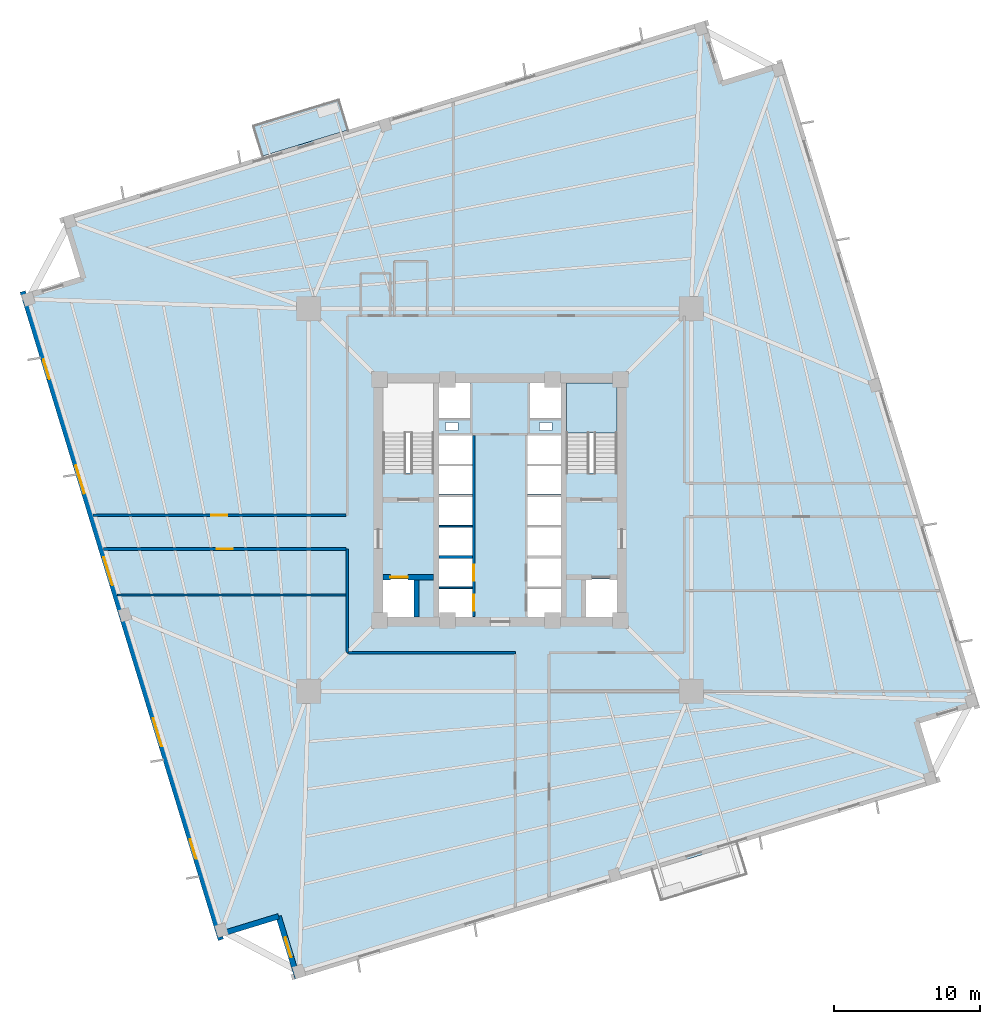
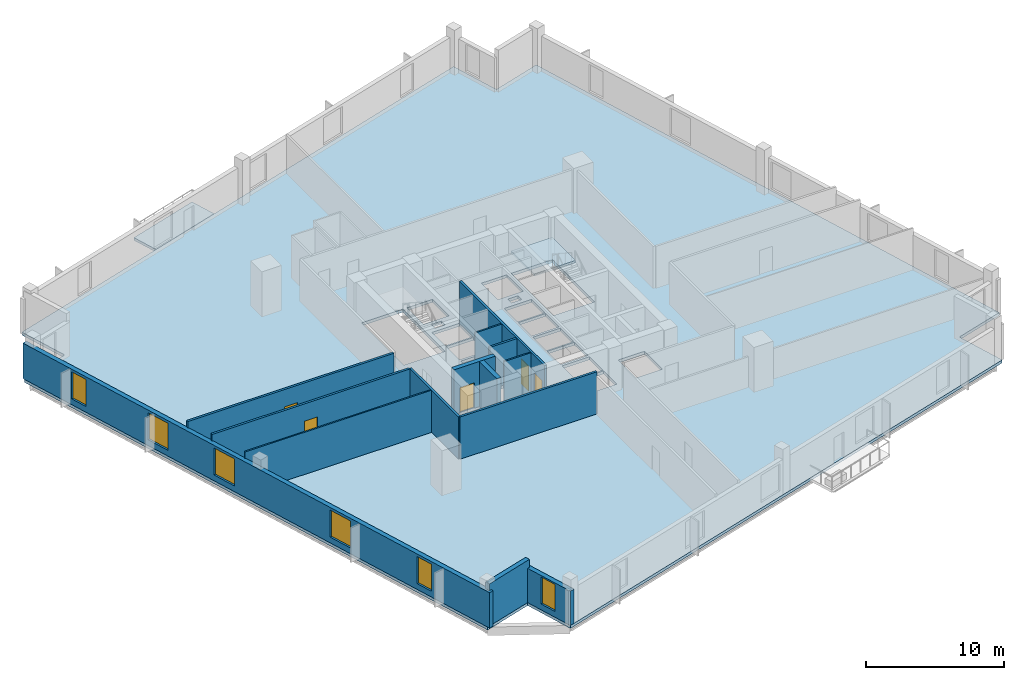
# One storey, part 2 of 8: 14 walls, 6 windows, 5 doors, 3 slabs, 11 openings, 1 element without a shape of its own.
"""IFC4 building model written with IfcOpenShell, lengths in metres."""

from ifc_helpers import new_model, si_unit, direction, frame, frame_2d, origin, place, context, subcontext, project, spatial, polyline, rectangle, outline, extrude, source, transform, mapped, material, layer, layer_set, type_object, element, fill, aggregate, save


model = new_model("IFC4")

# Units and contexts
model_context = context("Model", 3, precision=1e-05, world=origin(), true_north=direction((0.0, 1.0)))
body_context = subcontext(model_context, "Body", "Model", "MODEL_VIEW")
ifc_project = project(units=[si_unit("LENGTHUNIT", "METRE"), si_unit("AREAUNIT", "SQUARE_METRE"), si_unit("VOLUMEUNIT", "CUBIC_METRE"), si_unit("PLANEANGLEUNIT", "RADIAN"), si_unit("MASSUNIT", "GRAM", prefix="KILO"), si_unit("THERMODYNAMICTEMPERATUREUNIT", "KELVIN")], contexts=[model_context])

# Site, building, storey
site_placement = place(None, origin())
site = spatial("IfcSite", under=ifc_project, at=site_placement, CompositionType="ELEMENT")
building_placement = place(site_placement, origin())
building = spatial("IfcBuilding", under=site, at=building_placement, Name="Kosmvard Interchange Tower", CompositionType="ELEMENT")
storey_placement = place(building_placement, frame((0.0, 0.0, 99.199951171875)))
storey = spatial("IfcBuildingStorey", under=building, at=storey_placement, Name="L23", CompositionType="ELEMENT", Elevation=99.199951171875)

# Slab
ifc_material_1 = material(Name="Concrete C50/60", Category="concrete")
ifc_layer_1 = layer(ifc_material_1, 0.260009765625, Name="Concrete C50/60")
ifc_layer_set_1 = layer_set([ifc_layer_1], Name="Concrete C50/60")
slab_type_1 = type_object("IfcSlabType", Name="Mid-Rise Office Composite Slab 260 C50/60", PredefinedType="FLOOR", material=ifc_layer_set_1)
slab_1_placement = place(storey_placement, frame((0.0, 0.0, -0.260009765625)))
element("IfcSlab", 1, at=slab_1_placement, inside=storey, type_object=slab_type_1, Name="L23 Structural Floor Slab", PredefinedType="FLOOR", context=body_context, shape_type="SweptSolid", body=[
    extrude(outline(polyline([(-14.02783203125, -32.783935546875), (29.962158203125, -19.334716796875), (28.719482421875, -15.2705078125), (32.783935546875, -14.02783203125), (19.334716796875, 29.962158203125), (15.2705078125, 28.719482421875), (14.02783203125, 32.783935546875), (-29.962158203125, 19.334716796875), (-28.719482421875, 15.2705078125), (-32.783935546875, 14.02783203125), (-19.334716796875, -29.962158203125), (-15.2705078125, -28.719482421875), (-14.02783203125, -32.783935546875)]), holes=[polyline([(-8.0, 1.8349609375), (-4.5400390625, 1.8349609375), (-4.5400390625, 8.0), (-8.0, 8.0), (-8.0, 1.8349609375)]), polyline([(4.5400390625, 1.8349609375), (8.0, 1.8349609375), (8.0, 8.0), (4.5400390625, 8.0), (4.5400390625, 1.8349609375)]), polyline([(-8.0, -8.0), (-5.800048828125, -8.0), (-5.800048828125, -5.39990234375), (-8.0, -5.39990234375), (-8.0, -8.0)]), polyline([(5.800048828125, -8.0), (8.0, -8.0), (8.0, -5.39990234375), (5.800048828125, -5.39990234375), (5.800048828125, -8.0)]), polyline([(-4.179931640625, -8.0), (-1.8798828125, -8.0), (-1.8798828125, -6.06005859375), (-4.179931640625, -6.06005859375), (-4.179931640625, -8.0)]), polyline([(-4.179931640625, -5.93994140625), (-1.8798828125, -5.93994140625), (-1.8798828125, -4.0), (-4.179931640625, -4.0), (-4.179931640625, -5.93994140625)]), polyline([(1.8798828125, -8.0), (4.179931640625, -8.0), (4.179931640625, -6.06005859375), (1.8798828125, -6.06005859375), (1.8798828125, -8.0)]), polyline([(1.8798828125, -5.93994140625), (4.179931640625, -5.93994140625), (4.179931640625, -4.0), (1.8798828125, -4.0), (1.8798828125, -5.93994140625)]), polyline([(-4.179931640625, -3.800048828125), (-1.8798828125, -3.800048828125), (-1.8798828125, -1.860107421875), (-4.179931640625, -1.860107421875), (-4.179931640625, -3.800048828125)]), polyline([(-4.179931640625, -1.739990234375), (-1.8798828125, -1.739990234375), (-1.8798828125, 0.199951171875), (-4.179931640625, 0.199951171875), (-4.179931640625, -1.739990234375)]), polyline([(1.8798828125, -3.800048828125), (4.179931640625, -3.800048828125), (4.179931640625, -1.860107421875), (1.8798828125, -1.860107421875), (1.8798828125, -3.800048828125)]), polyline([(1.8798828125, -1.739990234375), (4.179931640625, -1.739990234375), (4.179931640625, 0.199951171875), (1.8798828125, 0.199951171875), (1.8798828125, -1.739990234375)]), polyline([(-4.179931640625, 0.39990234375), (-1.8798828125, 0.39990234375), (-1.8798828125, 2.340087890625), (-4.179931640625, 2.340087890625), (-4.179931640625, 0.39990234375)]), polyline([(-4.179931640625, 2.4599609375), (-1.8798828125, 2.4599609375), (-1.8798828125, 4.39990234375), (-4.179931640625, 4.39990234375), (-4.179931640625, 2.4599609375)]), polyline([(1.8798828125, 0.39990234375), (4.179931640625, 0.39990234375), (4.179931640625, 2.340087890625), (1.8798828125, 2.340087890625), (1.8798828125, 0.39990234375)]), polyline([(1.8798828125, 2.4599609375), (4.179931640625, 2.4599609375), (4.179931640625, 4.39990234375), (1.8798828125, 4.39990234375), (1.8798828125, 2.4599609375)]), polyline([(-4.179931640625, 5.60009765625), (-2.0400390625, 5.60009765625), (-2.0400390625, 8.0), (-4.179931640625, 8.0), (-4.179931640625, 5.60009765625)]), polyline([(2.0400390625, 5.60009765625), (4.179931640625, 5.60009765625), (4.179931640625, 8.0), (2.0400390625, 8.0), (2.0400390625, 5.60009765625)]), polyline([(-3.715087890625, 4.739990234375), (-2.864990234375, 4.739990234375), (-2.864990234375, 5.2900390625), (-3.715087890625, 5.2900390625), (-3.715087890625, 4.739990234375)]), polyline([(2.715087890625, 4.739990234375), (3.56494140625, 4.739990234375), (3.56494140625, 5.2900390625), (2.715087890625, 5.2900390625), (2.715087890625, 4.739990234375)])]), origin(), (0.0, 0.0, 1.0), 0.260009765625),
])

# Stair, slab
stair_type = type_object("IfcStairType", Name="Dog-Leg Core Exit Stair H4000 C50/60", PredefinedType="HALF_TURN_STAIR", material=ifc_material_1)
stair_placement = place(storey_placement, origin())
stair = element("IfcStair", 2, at=stair_placement, inside=storey, type_object=stair_type, Name="L23 Protected Exit Stair ST-2", PredefinedType="HALF_TURN_STAIR")
ifc_layer_2 = layer(ifc_material_1, 0.199951171875, Name="Concrete C50/60")
ifc_layer_set_2 = layer_set([ifc_layer_2], Name="Concrete C50/60")
slab_type_2 = type_object("IfcSlabType", Name="Stair Half-Landing Slab 200 C50/60", PredefinedType="LANDING", material=ifc_layer_set_2)
slab_2_placement = place(storey_placement, frame((0.0, 0.0, 1.800048828125)))
slab_2 = element("IfcSlab", 3, at=slab_2_placement, type_object=slab_type_2, Name="ST-2 landing 1", PredefinedType="LANDING", context=body_context, shape_type="SweptSolid", body=[
    extrude(outline(polyline([(8.0, 4.60009765625), (8.0, 8.0), (4.5400390625, 8.0), (4.5400390625, 4.60009765625), (8.0, 4.60009765625)])), origin(), (0.0, 0.0, 1.0), 0.199951171875),
])
aggregate(stair, [slab_2])

# Slab
ifc_layer_3 = layer(ifc_material_1, 0.22998046875, Name="Concrete C50/60")
ifc_layer_set_3 = layer_set([ifc_layer_3], Name="Concrete C50/60")
slab_type_3 = type_object("IfcSlabType", Name="Tree-Planter Cantilever Balcony Slab 230 C50/60", PredefinedType="FLOOR", material=ifc_layer_set_3)
slab_3_placement = place(storey_placement, frame((0.0, 0.0, -0.22998046875)))
element("IfcSlab", 4, at=slab_3_placement, inside=storey, type_object=slab_type_3, Name="L23 Outdoor Terrace Balcony Slab BAL-L23-NE", PredefinedType="FLOOR", context=body_context, shape_type="SweptSolid", body=[
    extrude(outline(polyline([(-16.286865234375, 23.515625), (-10.35791015625, 25.328369140625), (-11.001220703125, 27.43212890625), (-16.93017578125, 25.61962890625), (-16.286865234375, 23.515625)])), origin(), (0.0, 0.0, 1.0), 0.22998046875),
])

# Wall, openings, doors
ifc_material_2 = material(Name="Fire-rated gypsum partition system")
ifc_layer_4 = layer(ifc_material_2, 0.179931640625, Name="Fire-rated gypsum partition system")
ifc_layer_set_4 = layer_set([ifc_layer_4], Name="Fire-rated gypsum partition system")
wall_type_1 = type_object("IfcWallType", Name="Corridor & Hotel Compartment Partition 180", PredefinedType="PARTITIONING", material=ifc_layer_set_4)
wall_1_placement = place(storey_placement, frame((-1.7900390625, -7.97998046875, 0.0), z_axis=(0.0, 0.0, 1.0), x_axis=(0.0, 1.0, 0.0)))
wall_1 = element("IfcWall", 5, at=wall_1_placement, inside=storey, type_object=wall_type_1, Name="L23 West Lift Bank Front Wall", PredefinedType="PARTITIONING", context=body_context, shape_type="SweptSolid", body=[
    extrude(rectangle(XDim=12.3798828125, YDim=0.179931640625, at=frame_2d((6.18994140625, 0.0))), origin(), (0.0, 0.0, 1.0), 3.739990234375),
])
opening_1_placement = place(wall_1_placement, frame((0.39990234375, 0.0, 0.0)))
opening_1 = element("IfcOpeningElement", 6, at=opening_1_placement, cuts=wall_1, Name="Opening LD-PL-L1-L23", PredefinedType="OPENING", context=body_context, shape_type="SweptSolid", body=[
    extrude(rectangle(XDim=1.10009765625, YDim=2.199951171875, at=frame_2d((0.550048828125, 1.10009765625))), frame((0.0, 0.10009765625, 0.0), z_axis=(0.0, -1.0, 0.0), x_axis=(1.0, 0.0, 0.0)), (0.0, 0.0, 1.0), 0.199951171875),
])
opening_2_placement = place(wall_1_placement, frame((2.4599609375, 0.0, 0.0)))
opening_2 = element("IfcOpeningElement", 7, at=opening_2_placement, cuts=wall_1, Name="Opening LD-PL-L2-L23", PredefinedType="OPENING", context=body_context, shape_type="SweptSolid", body=[
    extrude(rectangle(XDim=1.10009765625, YDim=2.199951171875, at=frame_2d((0.550048828125, 1.10009765625))), frame((0.0, 0.10009765625, 0.0), z_axis=(0.0, -1.0, 0.0), x_axis=(1.0, 0.0, 0.0)), (0.0, 0.0, 1.0), 0.199951171875),
])
ifc_material_3 = material(Name="Brushed stainless steel sliding leaf", Category="steel")
door_type_1 = type_object("IfcDoorType", Name="Passenger Lift Sliding Landing Door 1100x2200 EI60", OperationType="DOUBLE_DOOR_SLIDING", PredefinedType="DOOR", material=ifc_material_3)
shared_shape_1 = source(origin(), body_context, "Body", "SweptSolid", [
    extrude(rectangle(XDim=1.10009765625, YDim=2.199951171875, at=frame_2d((0.550048828125, 1.10009765625))), frame((0.0, 0.02490234375, 0.0), z_axis=(0.0, -1.0, 0.0), x_axis=(1.0, 0.0, 0.0)), (0.0, 0.0, 1.0), 0.050048828125),
])
door_1_placement = place(opening_1_placement, frame((1.10009765625, 0.0, 0.0), z_axis=(0.0, 0.0, 1.0), x_axis=(-1.0, 0.0, 0.0)))
door_1 = element("IfcDoor", 8, at=door_1_placement, inside=storey, type_object=door_type_1, Name="Lift PL-L1 Landing Door L23", OperationType="DOUBLE_DOOR_SLIDING", OverallHeight=2.199951171875, OverallWidth=1.10009765625, PredefinedType="DOOR", context=body_context, shape_type="MappedRepresentation", body=[
    mapped(shared_shape_1, transform((0.0, 0.0, 0.0), scale=1.0)),
])
fill(opening_1, door_1)
door_2_placement = place(opening_2_placement, frame((1.10009765625, 0.0, 0.0), z_axis=(0.0, 0.0, 1.0), x_axis=(-1.0, 0.0, 0.0)))
door_2 = element("IfcDoor", 9, at=door_2_placement, inside=storey, type_object=door_type_1, Name="Lift PL-L2 Landing Door L23", OperationType="DOUBLE_DOOR_SLIDING", OverallHeight=2.199951171875, OverallWidth=1.10009765625, PredefinedType="DOOR", context=body_context, shape_type="MappedRepresentation", body=[
    mapped(shared_shape_1, transform((0.0, 0.0, 0.0), scale=1.0)),
])
fill(opening_2, door_2)

# Walls
wall_2_placement = place(storey_placement, frame((-10.449951171875, -10.449951171875, 0.0), z_axis=(0.0, 0.0, 1.0), x_axis=(1.0, 0.0, 0.0)))
element("IfcWall", 10, at=wall_2_placement, inside=storey, type_object=wall_type_1, Name="L23 Corridor Wall CSW", PredefinedType="PARTITIONING", context=body_context, shape_type="SweptSolid", body=[
    extrude(rectangle(XDim=11.5, YDim=0.179931640625, at=frame_2d((5.75, 0.0))), origin(), (0.0, 0.0, 1.0), 3.739990234375),
])
wall_3_placement = place(storey_placement, frame((-10.449951171875, -10.449951171875, 0.0), z_axis=(0.0, 0.0, 1.0), x_axis=(0.0, 1.0, 0.0)))
element("IfcWall", 11, at=wall_3_placement, inside=storey, type_object=wall_type_1, Name="L23 Corridor Wall CWS", PredefinedType="PARTITIONING", context=body_context, shape_type="SweptSolid", body=[
    extrude(rectangle(XDim=7.099853515625, YDim=0.179931640625, at=frame_2d((3.5498046875, 0.0))), origin(), (0.0, 0.0, 1.0), 3.739990234375),
])

# Wall, opening, door
wall_4_placement = place(storey_placement, frame((-27.1416015625, -3.35009765625, 0.0), z_axis=(0.0, 0.0, 1.0), x_axis=(1.0, 0.0, 0.0)))
wall_4 = element("IfcWall", 12, at=wall_4_placement, inside=storey, type_object=wall_type_1, Name="L23 Corridor Wall SWS", PredefinedType="PARTITIONING", context=body_context, shape_type="SweptSolid", body=[
    extrude(rectangle(XDim=16.591552734375, YDim=0.179931640625, at=frame_2d((8.2958984375, 0.0))), origin(), (0.0, 0.0, 1.0), 3.739990234375),
])
opening_3_placement = place(wall_4_placement, frame((7.745849609375, 0.0, 0.0)))
opening_3 = element("IfcOpeningElement", 13, at=opening_3_placement, cuts=wall_4, Name="Opening L23-D08", PredefinedType="OPENING", context=body_context, shape_type="SweptSolid", body=[
    extrude(rectangle(XDim=1.10009765625, YDim=2.199951171875, at=frame_2d((0.550048828125, 1.10009765625))), frame((0.0, 0.10009765625, 0.0), z_axis=(0.0, -1.0, 0.0), x_axis=(1.0, 0.0, 0.0)), (0.0, 0.0, 1.0), 0.199951171875),
])
ifc_material_4 = material(Name="Engineered oak fire-rated timber", Category="wood")
door_type_2 = type_object("IfcDoorType", Name="Office Suite Entrance Door 1100x2200 FD30S", OperationType="NOTDEFINED", PredefinedType="DOOR", material=ifc_material_4)
door_3_placement = place(opening_3_placement, frame((1.10009765625, 0.0, 0.0), z_axis=(0.0, 0.0, 1.0), x_axis=(-1.0, 0.0, 0.0)))
door_3 = element("IfcDoor", 14, at=door_3_placement, inside=storey, type_object=door_type_2, Name="L23 West Boardroom 4 Door", OperationType="SINGLE_SWING_RIGHT", OverallHeight=2.199951171875, OverallWidth=1.10009765625, PredefinedType="DOOR", context=body_context, shape_type="MappedRepresentation", body=[
    mapped(shared_shape_1, transform((0.0, 0.0, 0.0), scale=1.0)),
])
fill(opening_3, door_3)

wall_5_placement = place(storey_placement, frame((-27.8447265625, -1.050048828125, 0.0), z_axis=(0.0, 0.0, 1.0), x_axis=(1.0, 0.0, 0.0)))
wall_5 = element("IfcWall", 15, at=wall_5_placement, inside=storey, type_object=wall_type_1, Name="L23 Corridor Wall SWN", PredefinedType="PARTITIONING", context=body_context, shape_type="SweptSolid", body=[
    extrude(rectangle(XDim=17.294677734375, YDim=0.179931640625, at=frame_2d((8.6474609375, 0.0))), origin(), (0.0, 0.0, 1.0), 3.739990234375),
])
opening_4_placement = place(wall_5_placement, frame((8.097412109375, 0.0, 0.0)))
opening_4 = element("IfcOpeningElement", 16, at=opening_4_placement, cuts=wall_5, Name="Opening L23-D03", PredefinedType="OPENING", context=body_context, shape_type="SweptSolid", body=[
    extrude(rectangle(XDim=1.10009765625, YDim=2.199951171875, at=frame_2d((0.550048828125, 1.10009765625))), frame((0.0, 0.10009765625, 0.0), z_axis=(0.0, -1.0, 0.0), x_axis=(1.0, 0.0, 0.0)), (0.0, 0.0, 1.0), 0.199951171875),
])
door_4_placement = place(opening_4_placement, origin())
door_4 = element("IfcDoor", 17, at=door_4_placement, inside=storey, type_object=door_type_2, Name="L23 North-West Strategy Conference Room 1 Door", OperationType="SINGLE_SWING_LEFT", OverallHeight=2.199951171875, OverallWidth=1.10009765625, PredefinedType="DOOR", context=body_context, shape_type="MappedRepresentation", body=[
    mapped(shared_shape_1, transform((0.0, 0.0, 0.0), scale=1.0)),
])
fill(opening_4, door_4)

# Wall, openings, windows
ifc_material_5 = material(Name="Precast concrete C45/55", Category="concrete")
ifc_layer_5 = layer(ifc_material_5, 0.3798828125, Name="Precast concrete C45/55")
ifc_layer_set_5 = layer_set([ifc_layer_5], Name="Precast concrete C45/55")
wall_type_2 = type_object("IfcWallType", Name="Lower Tower Precast Pier Wall 380 C45/55", PredefinedType="STANDARD", material=ifc_layer_set_5)
wall_6_placement = place(storey_placement, frame((-32.65771484375, 14.26513671875, 0.0), z_axis=(0.0, 0.0, 1.0), x_axis=(0.292373127906, -0.956304320851, 0.0)))
wall_6 = element("IfcWall", 18, at=wall_6_placement, inside=storey, type_object=wall_type_2, Name="L23 Precast Facade Wall F-W", PredefinedType="STANDARD", context=body_context, shape_type="SweptSolid", body=[
    extrude(rectangle(XDim=46.380126953125, YDim=0.3798828125, at=frame_2d((23.18994140625, 0.0))), origin(), (0.0, 0.0, 1.0), 3.14013671875),
])
opening_5_placement = place(wall_6_placement, frame((4.865478515625, 0.0, 0.510009765625)))
opening_5 = element("IfcOpeningElement", 19, at=opening_5_placement, cuts=wall_6, Name="Opening L23-W16", PredefinedType="OPENING", context=body_context, shape_type="SweptSolid", body=[
    extrude(rectangle(XDim=1.39990234375, YDim=2.39990234375, at=frame_2d((0.699951171875, 1.199951171875))), frame((0.0, 0.199951171875, 0.0), z_axis=(0.0, -1.0, 0.0), x_axis=(1.0, 0.0, 0.0)), (0.0, 0.0, 1.0), 0.39990234375),
])
opening_6_placement = place(wall_6_placement, frame((12.4501953125, 0.0, 0.510009765625)))
opening_6 = element("IfcOpeningElement", 20, at=opening_6_placement, cuts=wall_6, Name="Opening L23-W17", PredefinedType="OPENING", context=body_context, shape_type="SweptSolid", body=[
    extrude(rectangle(XDim=2.0, YDim=2.39990234375, at=frame_2d((1.0, 1.199951171875))), frame((0.0, 0.199951171875, 0.0), z_axis=(0.0, -1.0, 0.0), x_axis=(1.0, 0.0, 0.0)), (0.0, 0.0, 1.0), 0.39990234375),
])
opening_7_placement = place(wall_6_placement, frame((19.012451171875, 0.0, 0.510009765625)))
opening_7 = element("IfcOpeningElement", 21, at=opening_7_placement, cuts=wall_6, Name="Opening L23-W18", PredefinedType="OPENING", context=body_context, shape_type="SweptSolid", body=[
    extrude(rectangle(XDim=2.0, YDim=2.39990234375, at=frame_2d((1.0, 1.199951171875))), frame((0.0, 0.199951171875, 0.0), z_axis=(0.0, -1.0, 0.0), x_axis=(1.0, 0.0, 0.0)), (0.0, 0.0, 1.0), 0.39990234375),
])
opening_8_placement = place(wall_6_placement, frame((30.538330078125, 0.0, 0.510009765625)))
opening_8 = element("IfcOpeningElement", 22, at=opening_8_placement, cuts=wall_6, Name="Opening L23-W19", PredefinedType="OPENING", context=body_context, shape_type="SweptSolid", body=[
    extrude(rectangle(XDim=2.0, YDim=2.39990234375, at=frame_2d((1.0, 1.199951171875))), frame((0.0, 0.199951171875, 0.0), z_axis=(0.0, -1.0, 0.0), x_axis=(1.0, 0.0, 0.0)), (0.0, 0.0, 1.0), 0.39990234375),
])
opening_9_placement = place(wall_6_placement, frame((39.186767578125, 0.0, 0.510009765625)))
opening_9 = element("IfcOpeningElement", 23, at=opening_9_placement, cuts=wall_6, Name="Opening L23-W20", PredefinedType="OPENING", context=body_context, shape_type="SweptSolid", body=[
    extrude(rectangle(XDim=1.39990234375, YDim=2.39990234375, at=frame_2d((0.699951171875, 1.199951171875))), frame((0.0, 0.199951171875, 0.0), z_axis=(0.0, -1.0, 0.0), x_axis=(1.0, 0.0, 0.0)), (0.0, 0.0, 1.0), 0.39990234375),
])
ifc_material_6 = material(Name="Low-E solar-control double glazing", Category="glass")
window_type_1 = type_object("IfcWindowType", Name="Notched Corner Feature Window 1400x2400", PartitioningType="SINGLE_PANEL", PredefinedType="WINDOW", material=ifc_material_6)
shared_shape_2 = source(origin(), body_context, "Body", "SweptSolid", [
    extrude(rectangle(XDim=1.39990234375, YDim=2.39990234375, at=frame_2d((0.699951171875, 1.199951171875))), frame((0.0, 0.030029296875, 0.0), z_axis=(0.0, -1.0, 0.0), x_axis=(1.0, 0.0, 0.0)), (0.0, 0.0, 1.0), 0.06005859375),
])
window_1_placement = place(opening_5_placement, origin())
window_1 = element("IfcWindow", 24, at=window_1_placement, inside=storey, type_object=window_type_1, Name="L23 Facade Punched Window 16", OverallHeight=2.39990234375, OverallWidth=1.39990234375, PartitioningType="SINGLE_PANEL", PredefinedType="WINDOW", context=body_context, shape_type="MappedRepresentation", body=[
    mapped(shared_shape_2, transform((0.0, 0.0, 0.0), scale=1.0)),
])
fill(opening_5, window_1)
window_2_placement = place(opening_9_placement, origin())
window_2 = element("IfcWindow", 25, at=window_2_placement, inside=storey, type_object=window_type_1, Name="L23 Facade Punched Window 20", OverallHeight=2.39990234375, OverallWidth=1.39990234375, PartitioningType="SINGLE_PANEL", PredefinedType="WINDOW", context=body_context, shape_type="MappedRepresentation", body=[
    mapped(shared_shape_2, transform((0.0, 0.0, 0.0), scale=1.0)),
])
fill(opening_9, window_2)
window_type_2 = type_object("IfcWindowType", Name="Zone 2 Office Punched Window 2000x2400", PartitioningType="SINGLE_PANEL", PredefinedType="WINDOW", material=ifc_material_6)
shared_shape_3 = source(origin(), body_context, "Body", "SweptSolid", [
    extrude(rectangle(XDim=2.0, YDim=2.39990234375, at=frame_2d((1.0, 1.199951171875))), frame((0.0, 0.030029296875, 0.0), z_axis=(0.0, -1.0, 0.0), x_axis=(1.0, 0.0, 0.0)), (0.0, 0.0, 1.0), 0.06005859375),
])
window_3_placement = place(opening_6_placement, origin())
window_3 = element("IfcWindow", 26, at=window_3_placement, inside=storey, type_object=window_type_2, Name="L23 Facade Punched Window 17", OverallHeight=2.39990234375, OverallWidth=2.0, PartitioningType="SINGLE_PANEL", PredefinedType="WINDOW", context=body_context, shape_type="MappedRepresentation", body=[
    mapped(shared_shape_3, transform((0.0, 0.0, 0.0), scale=1.0)),
])
fill(opening_6, window_3)
window_4_placement = place(opening_7_placement, origin())
window_4 = element("IfcWindow", 27, at=window_4_placement, inside=storey, type_object=window_type_2, Name="L23 Facade Punched Window 18", OverallHeight=2.39990234375, OverallWidth=2.0, PartitioningType="SINGLE_PANEL", PredefinedType="WINDOW", context=body_context, shape_type="MappedRepresentation", body=[
    mapped(shared_shape_3, transform((0.0, 0.0, 0.0), scale=1.0)),
])
fill(opening_7, window_4)
window_5_placement = place(opening_8_placement, origin())
window_5 = element("IfcWindow", 28, at=window_5_placement, inside=storey, type_object=window_type_2, Name="L23 Facade Punched Window 19", OverallHeight=2.39990234375, OverallWidth=2.0, PartitioningType="SINGLE_PANEL", PredefinedType="WINDOW", context=body_context, shape_type="MappedRepresentation", body=[
    mapped(shared_shape_3, transform((0.0, 0.0, 0.0), scale=1.0)),
])
fill(opening_8, window_5)

# Wall
wall_7_placement = place(storey_placement, frame((-19.20849609375, -29.724853515625, 0.0), z_axis=(0.0, 0.0, 1.0), x_axis=(0.956312764915, 0.292345507338, 0.0)))
element("IfcWall", 29, at=wall_7_placement, inside=storey, type_object=wall_type_2, Name="L23 Precast Facade Wall N-SW1", PredefinedType="STANDARD", context=body_context, shape_type="SweptSolid", body=[
    extrude(rectangle(XDim=4.249755859375, YDim=0.3798828125, at=frame_2d((2.125, 0.0))), origin(), (0.0, 0.0, 1.0), 3.739990234375),
])

# Wall, opening, window
wall_8_placement = place(storey_placement, frame((-15.144287109375, -28.482421875, 0.0), z_axis=(0.0, 0.0, 1.0), x_axis=(0.292373601522, -0.956304176051, 0.0)))
wall_8 = element("IfcWall", 30, at=wall_8_placement, inside=storey, type_object=wall_type_2, Name="L23 Precast Facade Wall N-SW2", PredefinedType="STANDARD", context=body_context, shape_type="SweptSolid", body=[
    extrude(rectangle(XDim=4.43994140625, YDim=0.3798828125, at=frame_2d((2.219970703125, 0.0))), origin(), (0.0, 0.0, 1.0), 3.0400390625),
])
opening_10_placement = place(wall_8_placement, frame((1.52001953125, 0.0, 0.510009765625)))
opening_10 = element("IfcOpeningElement", 31, at=opening_10_placement, cuts=wall_8, Name="Opening L23-W24", PredefinedType="OPENING", context=body_context, shape_type="SweptSolid", body=[
    extrude(rectangle(XDim=1.39990234375, YDim=2.39990234375, at=frame_2d((0.699951171875, 1.199951171875))), frame((0.0, 0.199951171875, 0.0), z_axis=(0.0, -1.0, 0.0), x_axis=(1.0, 0.0, 0.0)), (0.0, 0.0, 1.0), 0.39990234375),
])
window_6_placement = place(opening_10_placement, origin())
window_6 = element("IfcWindow", 32, at=window_6_placement, inside=storey, type_object=window_type_1, Name="L23 Corner Notch Window 24", OverallHeight=2.39990234375, OverallWidth=1.39990234375, PartitioningType="SINGLE_PANEL", PredefinedType="WINDOW", context=body_context, shape_type="MappedRepresentation", body=[
    mapped(shared_shape_2, transform((0.0, 0.0, 0.0), scale=1.0)),
])
fill(opening_10, window_6)

# Walls
ifc_material_7 = material(Name="Gypsum board partition system")
ifc_layer_6 = layer(ifc_material_7, 0.1201171875, Name="Gypsum board partition system")
ifc_layer_set_6 = layer_set([ifc_layer_6], Name="Gypsum board partition system")
wall_type_3 = type_object("IfcWallType", Name="Office Cellular Partition 120", PredefinedType="PARTITIONING", material=ifc_layer_set_6)
wall_9_placement = place(storey_placement, frame((-26.178466796875, -6.5, 0.0), z_axis=(0.0, 0.0, 1.0), x_axis=(1.0, 0.0, 0.0)))
element("IfcWall", 33, at=wall_9_placement, inside=storey, type_object=wall_type_3, Name="L23 Room Partition 04.1", PredefinedType="PARTITIONING", context=body_context, shape_type="SweptSolid", body=[
    extrude(rectangle(XDim=15.633544921875, YDim=0.1201171875, at=frame_2d((7.81689453125, 0.0))), origin(), (0.0, 0.0, 1.0), 3.739990234375),
])
ifc_material_8 = material(Name="Concrete blockwork masonry", Category="masonry")
ifc_layer_7 = layer(ifc_material_8, 0.179931640625, Name="Concrete blockwork masonry")
ifc_layer_set_7 = layer_set([ifc_layer_7], Name="Concrete blockwork masonry")
wall_type_4 = type_object("IfcWallType", Name="Riser & Lift Bank Divider Wall 180", PredefinedType="PARTITIONING", material=ifc_layer_set_7)
wall_10_placement = place(storey_placement, frame((-4.169921875, -3.89990234375, 0.0), z_axis=(0.0, 0.0, 1.0), x_axis=(1.0, 0.0, 0.0)))
element("IfcWall", 34, at=wall_10_placement, inside=storey, type_object=wall_type_4, Name="L23 West Bank Divider BD1", PredefinedType="PARTITIONING", context=body_context, shape_type="SweptSolid", body=[
    extrude(rectangle(XDim=2.280029296875, YDim=0.179931640625, at=frame_2d((1.14013671875, 0.0))), origin(), (0.0, 0.0, 1.0), 3.739990234375),
])
ifc_material_9 = material(Name="Fire-rated gypsum shaftwall system")
ifc_layer_8 = layer(ifc_material_9, 0.1201171875, Name="Fire-rated gypsum shaftwall system")
ifc_layer_set_8 = layer_set([ifc_layer_8], Name="Fire-rated gypsum shaftwall system")
wall_type_5 = type_object("IfcWallType", Name="Shaft & Riser Fire Partition 120 EI60", PredefinedType="PARTITIONING", material=ifc_layer_set_8)
for number, where, z_axis, x_axis, name in (
    (35, (-4.159912109375, -6.0, 0.0), (0.0, 0.0, 1.0), (1.0, 0.0, 0.0), "L23 Shaft Divider PL-L1"),
    (36, (-4.159912109375, -1.800048828125, 0.0), (0.0, 0.0, 1.0), (1.0, 0.0, 0.0), "L23 Shaft Divider PL-M1"),
):
    element("IfcWall", number, at=place(storey_placement, frame(where, z_axis=z_axis, x_axis=x_axis)), inside=storey, type_object=wall_type_5, Name=name, PredefinedType="PARTITIONING", context=body_context, shape_type="SweptSolid", body=[
        extrude(rectangle(XDim=2.260009765625, YDim=0.1201171875, at=frame_2d((1.1298828125, 0.0))), origin(), (0.0, 0.0, 1.0), 3.739990234375),
    ])

# Wall, opening, door
ifc_material_10 = material(Name="Concrete C60/75", Category="concrete")
ifc_layer_9 = layer(ifc_material_10, 0.360107421875, Name="Concrete C60/75")
ifc_layer_set_9 = layer_set([ifc_layer_9], Name="Concrete C60/75")
wall_type_6 = type_object("IfcWallType", Name="Stair & Lift Shaft Shear Wall 360 C60/75", PredefinedType="SHEAR", material=ifc_layer_set_9)
wall_11_placement = place(storey_placement, frame((-8.0, -5.280029296875, 0.0), z_axis=(0.0, 0.0, 1.0), x_axis=(1.0, 0.0, 0.0)))
wall_11 = element("IfcWall", 37, at=wall_11_placement, inside=storey, type_object=wall_type_6, Name="L23 Shaft Shear Wall SW-FF1", PredefinedType="SHEAR", context=body_context, shape_type="SweptSolid", body=[
    extrude(rectangle(XDim=3.4599609375, YDim=0.360107421875, at=frame_2d((1.72998046875, 0.0))), origin(), (0.0, 0.0, 1.0), 4.0),
])
opening_11_placement = place(wall_11_placement, frame((0.5, 0.0, 0.0)))
opening_11 = element("IfcOpeningElement", 38, at=opening_11_placement, cuts=wall_11, Name="Opening LD-FF-1-L23", PredefinedType="OPENING", context=body_context, shape_type="SweptSolid", body=[
    extrude(rectangle(XDim=1.199951171875, YDim=2.25, at=frame_2d((0.60009765625, 1.125))), frame((0.0, 0.18994140625, 0.0), z_axis=(0.0, -1.0, 0.0), x_axis=(1.0, 0.0, 0.0)), (0.0, 0.0, 1.0), 0.380126953125),
])
door_type_3 = type_object("IfcDoorType", Name="Firefighting Lift Sliding Landing Door 1200x2250 EI120", OperationType="DOUBLE_DOOR_SLIDING", PredefinedType="DOOR", material=ifc_material_3)
shared_shape_4 = source(origin(), body_context, "Body", "SweptSolid", [
    extrude(rectangle(XDim=1.199951171875, YDim=2.25, at=frame_2d((0.60009765625, 1.125))), frame((0.0, 0.02490234375, 0.0), z_axis=(0.0, -1.0, 0.0), x_axis=(1.0, 0.0, 0.0)), (0.0, 0.0, 1.0), 0.050048828125),
])
door_5_placement = place(opening_11_placement, origin())
door_5 = element("IfcDoor", 39, at=door_5_placement, inside=storey, type_object=door_type_3, Name="Lift FF-1 Landing Door L23", OperationType="DOUBLE_DOOR_SLIDING", OverallHeight=2.25, OverallWidth=1.199951171875, PredefinedType="DOOR", context=body_context, shape_type="MappedRepresentation", body=[
    mapped(shared_shape_4, transform((0.0, 0.0, 0.0), scale=1.0)),
])
fill(opening_11, door_5)

# Wall
wall_12_placement = place(storey_placement, frame((-5.7099609375, -8.0, 0.0), z_axis=(0.0, 0.0, 1.0), x_axis=(0.0, 1.0, 0.0)))
element("IfcWall", 40, at=wall_12_placement, inside=storey, type_object=wall_type_6, Name="L23 Shaft Shear Wall SW-SM1", PredefinedType="SHEAR", context=body_context, shape_type="SweptSolid", body=[
    extrude(rectangle(XDim=2.5400390625, YDim=0.360107421875, at=frame_2d((1.27001953125, 0.0))), origin(), (0.0, 0.0, 1.0), 4.0),
])

save(model, "model.ifc")
